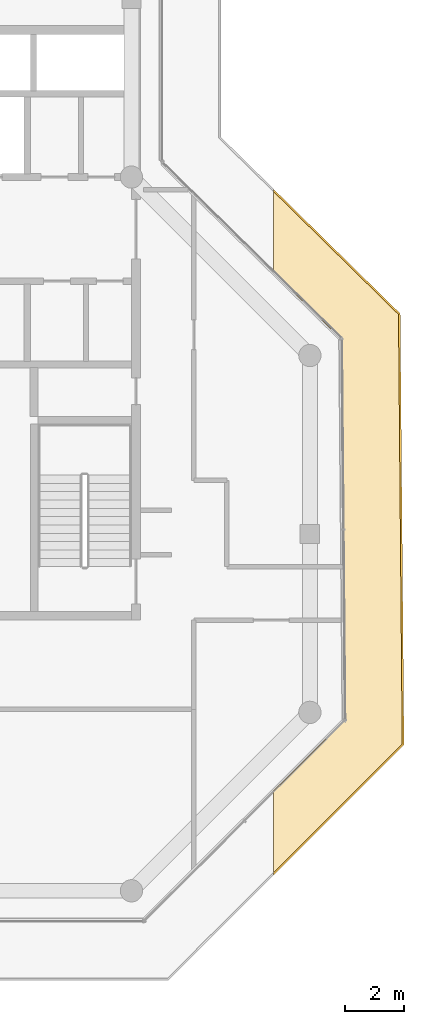
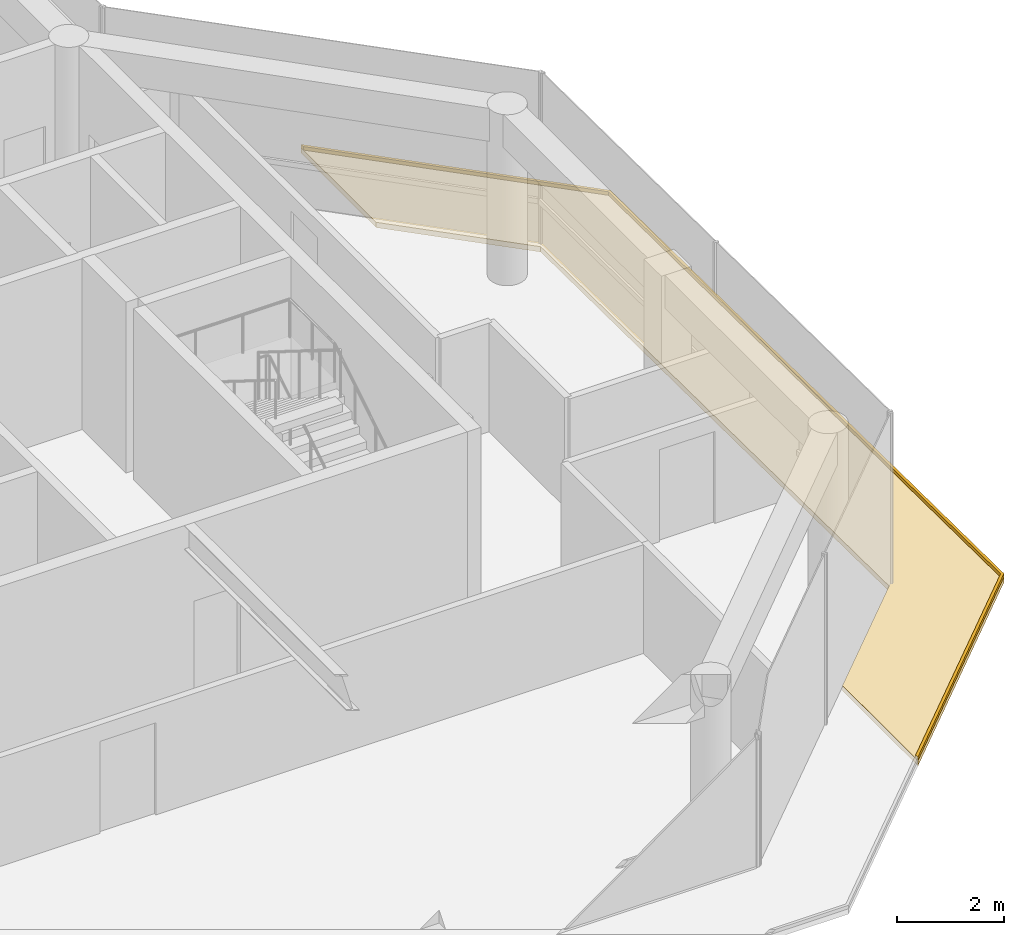
# One storey, part 21 of 21: 2 coverings.
"""IFC4 building model written with IfcOpenShell, lengths in metres."""

from ifc_helpers import new_model, si_unit, direction, frame, origin, place, context, subcontext, project, spatial, polyline, outline, extrude, material, layer, layer_set, type_object, element, save


model = new_model("IFC4")

# Units and contexts
model_context = context("Model", 3, precision=1e-05, world=origin(), true_north=direction((0.0, 1.0)))
body_context = subcontext(model_context, "Body", "Model", "MODEL_VIEW")
ifc_project = project(units=[si_unit("LENGTHUNIT", "METRE"), si_unit("AREAUNIT", "SQUARE_METRE"), si_unit("VOLUMEUNIT", "CUBIC_METRE"), si_unit("PLANEANGLEUNIT", "RADIAN"), si_unit("MASSUNIT", "GRAM", prefix="KILO")], contexts=[model_context])

# Site, building, storey
site_placement = place(None, origin())
site = spatial("IfcSite", under=ifc_project, at=site_placement, CompositionType="ELEMENT")
building_placement = place(site_placement, origin())
building = spatial("IfcBuilding", under=site, at=building_placement, Name="Welwitschia Terrace Campus", CompositionType="ELEMENT")
storey_placement = place(building_placement, frame((0.0, 0.0, 331.39990234375)))
storey = spatial("IfcBuildingStorey", under=building, at=storey_placement, Name="L74", CompositionType="ELEMENT", Elevation=331.39990234375)

# Coverings
ifc_material_1 = material(Name="Bronze anodised aluminium", Category="aluminium")
ifc_layer_1 = layer(ifc_material_1, 0.1201171875)
ifc_layer_set_1 = layer_set([ifc_layer_1], Name="Bronze anodised aluminium")
covering_type_1 = type_object("IfcCoveringType", Name="Sunshade band 2000", PredefinedType="USERDEFINED", material=ifc_layer_set_1)
covering_1_placement = place(storey_placement, frame((0.0, 0.0, -0.199951171875)))
element("IfcCovering", 1, at=covering_1_placement, inside=storey, type_object=covering_type_1, Name="SUNSHADE L74.SE0", ObjectType="SUNSHADE", PredefinedType="USERDEFINED", context=body_context, shape_type="SweptSolid", body=[
    extrude(outline(polyline([(33.03857421875, 15.407470703125), (33.1650390625, 0.91162109375), (28.7802734375, -3.466796875), (28.7802734375, -0.640380859375), (31.15771484375, 1.73388671875), (31.0458984375, 14.561767578125), (28.7802734375, 16.7880859375), (28.7802734375, 19.59228515625), (33.03857421875, 15.407470703125)])), origin(), (0.0, 0.0, 1.0), 0.1201171875),
])
ifc_material_2 = material(Name="Bronze anodised aluminium", Category="aluminium")
ifc_layer_2 = layer(ifc_material_2, 0.06005859375)
ifc_layer_set_2 = layer_set([ifc_layer_2], Name="Bronze anodised aluminium")
covering_type_2 = type_object("IfcCoveringType", Name="Sunshade lip 60", PredefinedType="USERDEFINED", material=ifc_layer_set_2)
covering_2_placement = place(storey_placement, frame((0.0, 0.0, -0.079833984375)))
element("IfcCovering", 2, at=covering_2_placement, inside=storey, type_object=covering_type_2, Name="SUNSHADE LIP L74.SE0.0", ObjectType="SUNSHADE", PredefinedType="USERDEFINED", context=body_context, shape_type="SweptSolid", body=[
    extrude(outline(polyline([(33.1650390625, 0.91162109375), (28.7802734375, -3.466796875), (28.7802734375, -3.382080078125), (33.10498046875, 0.936279296875), (32.978759765625, 15.382080078125), (28.7802734375, 19.508056640625), (28.7802734375, 19.59228515625), (33.03857421875, 15.407470703125), (33.1650390625, 0.91162109375)])), origin(), (0.0, 0.0, 1.0), 0.079833984375),
])

save(model, "model.ifc")
